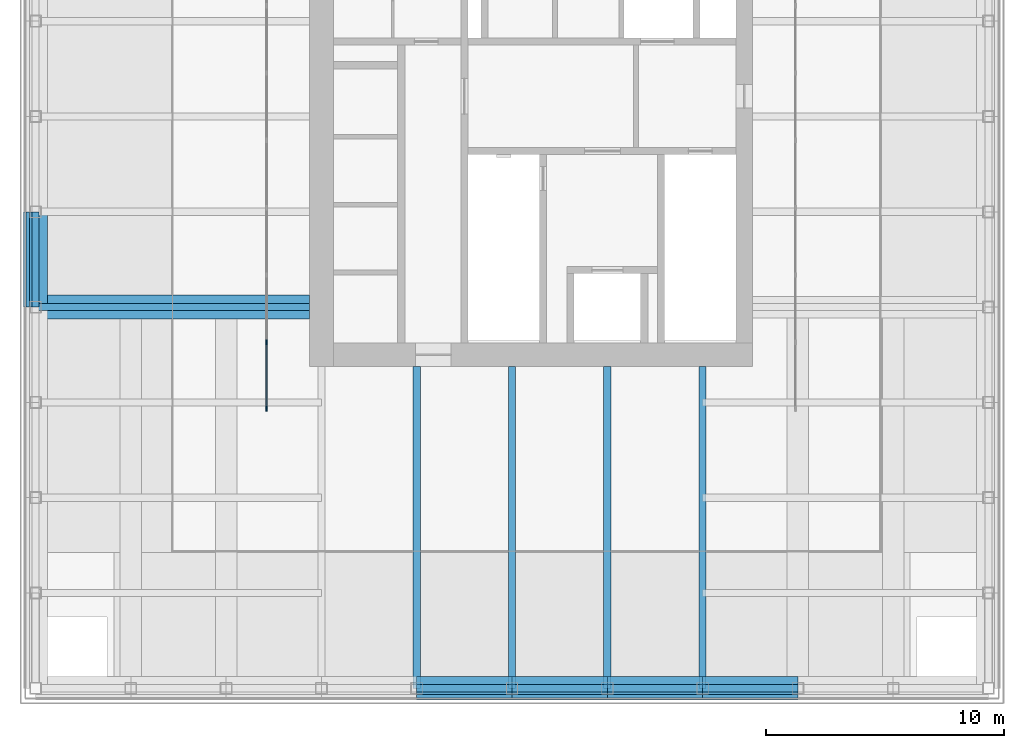
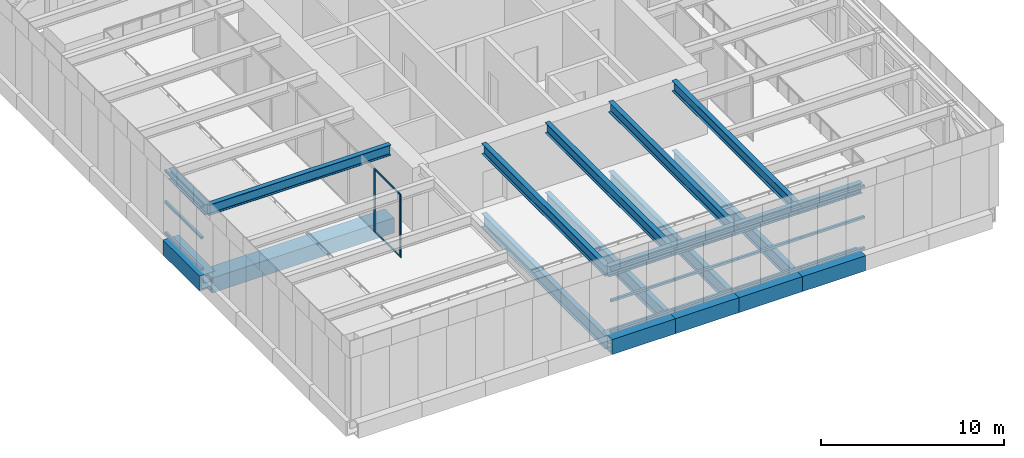
# One storey, part 2 of 11: 20 beams, 19 members, 1 element without a shape of its own.
"""IFC4 building model written with IfcOpenShell, lengths in metres."""

from ifc_helpers import new_model, si_unit, direction, frame, origin, origin_2d, place, context, subcontext, project, spatial, rectangle, hollow_rectangle, i_section, extrude, material, material_profile, profile_set, type_object, element, aggregate, save


model = new_model("IFC4")

# Units and contexts
model_context = context("Model", 3, precision=1e-05, world=origin(), true_north=direction((0.0, 1.0)))
body_context = subcontext(model_context, "Body", "Model", "MODEL_VIEW")
ifc_project = project(units=[si_unit("LENGTHUNIT", "METRE"), si_unit("AREAUNIT", "SQUARE_METRE"), si_unit("VOLUMEUNIT", "CUBIC_METRE"), si_unit("PLANEANGLEUNIT", "RADIAN"), si_unit("MASSUNIT", "GRAM", prefix="KILO")], contexts=[model_context])

# Site, building, storey
site_placement = place(None, origin())
site = spatial("IfcSite", under=ifc_project, at=site_placement, CompositionType="ELEMENT")
building_placement = place(site_placement, origin())
building = spatial("IfcBuilding", under=site, at=building_placement, Name="Rimbunsela Tower", CompositionType="ELEMENT")
storey_placement = place(building_placement, frame((0.0, 0.0, 304.199951171875)))
storey = spatial("IfcBuildingStorey", under=building, at=storey_placement, Name="RF", CompositionType="ELEMENT", Elevation=304.199951171875)

# Beams
ifc_material_1 = material(Name="Steel BJ 55 (fy 410 MPa)", Category="steel")
ifc_material_profile_1 = material_profile(ifc_material_1, hollow_rectangle(XDim=1.0, YDim=1.0, WallThickness=0.10009765625, at=origin_2d()), Name="BOX 1000x1000x100")
ifc_profile_set_1 = profile_set([ifc_material_profile_1], Name="Steel BJ 55 (fy 410 MPa)")
beam_type_1 = type_object("IfcBeamType", Name="Beam BOX 1000x1000x100", PredefinedType="BEAM", material=ifc_profile_set_1)
beam_1_placement = place(storey_placement, frame((6.0, 20.0, -0.800048828125), z_axis=(0.0, 1.0, 0.0), x_axis=(-1.0, 0.0, 0.0)))
element("IfcBeam", 1, at=beam_1_placement, inside=storey, type_object=beam_type_1, Name="Beam B3 RF", PredefinedType="BEAM", context=body_context, shape_type="SweptSolid", body=[
    extrude(hollow_rectangle(XDim=1.0, YDim=1.0, WallThickness=0.10009765625, at=origin_2d()), origin(), (0.0, 0.0, 1.0), 4.0),
])
beam_2_placement = place(storey_placement, frame((6.0, 20.0, -0.800048828125), z_axis=(1.0, 0.0, 0.0), x_axis=(0.0, 1.0, 0.0)))
element("IfcBeam", 2, at=beam_2_placement, inside=storey, type_object=beam_type_1, Name="Beam B3 RF", PredefinedType="BEAM", context=body_context, shape_type="SweptSolid", body=[
    extrude(hollow_rectangle(XDim=1.0, YDim=1.0, WallThickness=0.10009765625, at=origin_2d()), origin(), (0.0, 0.0, 1.0), 11.5),
])
for number, where, z_axis, x_axis, name in (
    (3, (22.0, 4.0, -0.800048828125), (1.0, 0.0, 0.0), (0.0, 1.0, 0.0), "Beam B3 RF"),
    (4, (26.0, 4.0, -0.800048828125), (1.0, 0.0, 0.0), (0.0, 1.0, 0.0), "Beam B3 RF"),
    (5, (30.0, 4.0, -0.800048828125), (1.0, 0.0, 0.0), (0.0, 1.0, 0.0), "Beam B3 RF"),
    (6, (34.0, 4.0, -0.800048828125), (1.0, 0.0, 0.0), (0.0, 1.0, 0.0), "Beam B3 RF"),
):
    element("IfcBeam", number, at=place(storey_placement, frame(where, z_axis=z_axis, x_axis=x_axis)), inside=storey, type_object=beam_type_1, Name=name, PredefinedType="BEAM", context=body_context, shape_type="SweptSolid", body=[
        extrude(hollow_rectangle(XDim=1.0, YDim=1.0, WallThickness=0.10009765625, at=origin_2d()), origin(), (0.0, 0.0, 1.0), 4.0),
    ])
ifc_material_2 = material(Name="Steel BJ 55 (fy 410 MPa)", Category="steel")
ifc_material_profile_2 = material_profile(ifc_material_2, i_section(OverallWidth=0.300048828125, OverallDepth=0.89990234375, WebThickness=0.01611328125, FlangeThickness=0.028076171875, FilletRadius=0.028076171875, at=origin_2d()), Name="H 900x300x16x28")
ifc_profile_set_2 = profile_set([ifc_material_profile_2], Name="Steel BJ 55 (fy 410 MPa)")
beam_type_2 = type_object("IfcBeamType", Name="Beam H 900x300x16x28", PredefinedType="BEAM", material=ifc_profile_set_2)
for number, where, z_axis, x_axis, name in (
    (7, (22.0, 4.0, -0.75), (0.0, 1.0, 0.0), (-1.0, 0.0, 0.0), "Beam B2 RF"),
    (8, (26.0, 4.0, -0.75), (0.0, 1.0, 0.0), (-1.0, 0.0, 0.0), "Beam B2 RF"),
    (9, (30.0, 4.0, -0.75), (0.0, 1.0, 0.0), (-1.0, 0.0, 0.0), "Beam B2 RF"),
    (10, (34.0, 4.0, -0.75), (0.0, 1.0, 0.0), (-1.0, 0.0, 0.0), "Beam B2 RF"),
):
    element("IfcBeam", number, at=place(storey_placement, frame(where, z_axis=z_axis, x_axis=x_axis)), inside=storey, type_object=beam_type_2, Name=name, PredefinedType="BEAM", context=body_context, shape_type="SweptSolid", body=[
        extrude(i_section(OverallWidth=0.300048828125, OverallDepth=0.89990234375, WebThickness=0.01611328125, FlangeThickness=0.028076171875, FilletRadius=0.028076171875, at=origin_2d()), origin(), (0.0, 0.0, 1.0), 13.5),
    ])
ifc_material_3 = material(Name="Steel BJ 55 (fy 410 MPa)", Category="steel")
ifc_material_profile_3 = material_profile(ifc_material_3, i_section(OverallWidth=0.300048828125, OverallDepth=0.699951171875, WebThickness=0.012939453125, FlangeThickness=0.02392578125, FilletRadius=0.028076171875, at=origin_2d()), Name="H 700x300x13x24")
ifc_profile_set_3 = profile_set([ifc_material_profile_3], Name="Steel BJ 55 (fy 410 MPa)")
beam_type_3 = type_object("IfcBeamType", Name="Crown frame beam H 700x300x13x24", PredefinedType="BEAM", material=ifc_profile_set_3)
for number, where, z_axis, x_axis, name in (
    (11, (6.0, 20.0, 4.0), (0.0, 1.0, 0.0), (-1.0, 0.0, 0.0), "Crown frame edge beam CB1"),
    (12, (22.0, 4.0, 4.0), (1.0, 0.0, 0.0), (0.0, 1.0, 0.0), "Crown frame edge beam CB1"),
    (13, (26.0, 4.0, 4.0), (1.0, 0.0, 0.0), (0.0, 1.0, 0.0), "Crown frame edge beam CB1"),
    (14, (30.0, 4.0, 4.0), (1.0, 0.0, 0.0), (0.0, 1.0, 0.0), "Crown frame edge beam CB1"),
    (15, (34.0, 4.0, 4.0), (1.0, 0.0, 0.0), (0.0, 1.0, 0.0), "Crown frame edge beam CB1"),
):
    element("IfcBeam", number, at=place(storey_placement, frame(where, z_axis=z_axis, x_axis=x_axis)), inside=storey, type_object=beam_type_3, Name=name, PredefinedType="BEAM", context=body_context, shape_type="SweptSolid", body=[
        extrude(i_section(OverallWidth=0.300048828125, OverallDepth=0.699951171875, WebThickness=0.012939453125, FlangeThickness=0.02392578125, FilletRadius=0.028076171875, at=origin_2d()), origin(), (0.0, 0.0, 1.0), 4.0),
    ])
beam_3_placement = place(storey_placement, frame((6.0, 20.0, 4.0), z_axis=(1.0, 0.0, 0.0), x_axis=(0.0, 1.0, 0.0)))
element("IfcBeam", 16, at=beam_3_placement, inside=storey, type_object=beam_type_3, Name="Crown frame beam CB1", PredefinedType="BEAM", context=body_context, shape_type="SweptSolid", body=[
    extrude(i_section(OverallWidth=0.300048828125, OverallDepth=0.699951171875, WebThickness=0.012939453125, FlangeThickness=0.02392578125, FilletRadius=0.028076171875, at=origin_2d()), origin(), (0.0, 0.0, 1.0), 11.5),
])
for number, where, z_axis, x_axis, name in (
    (17, (22.0, 4.0, 4.0), (0.0, 1.0, 0.0), (-1.0, 0.0, 0.0), "Crown frame beam CB1"),
    (18, (26.0, 4.0, 4.0), (0.0, 1.0, 0.0), (-1.0, 0.0, 0.0), "Crown frame beam CB1"),
    (19, (30.0, 4.0, 4.0), (0.0, 1.0, 0.0), (-1.0, 0.0, 0.0), "Crown frame beam CB1"),
    (20, (34.0, 4.0, 4.0), (0.0, 1.0, 0.0), (-1.0, 0.0, 0.0), "Crown frame beam CB1"),
):
    element("IfcBeam", number, at=place(storey_placement, frame(where, z_axis=z_axis, x_axis=x_axis)), inside=storey, type_object=beam_type_3, Name=name, PredefinedType="BEAM", context=body_context, shape_type="SweptSolid", body=[
        extrude(i_section(OverallWidth=0.300048828125, OverallDepth=0.699951171875, WebThickness=0.012939453125, FlangeThickness=0.02392578125, FilletRadius=0.028076171875, at=origin_2d()), origin(), (0.0, 0.0, 1.0), 13.5),
    ])

# Members
ifc_material_4 = material(Name="Steel BJ 55 (fy 410 MPa)", Category="steel")
ifc_material_profile_4 = material_profile(ifc_material_4, hollow_rectangle(XDim=0.14990234375, YDim=0.14990234375, WallThickness=0.006103515625, at=origin_2d()), Name="SHS 150x150x6.0")
ifc_profile_set_4 = profile_set([ifc_material_profile_4], Name="Steel BJ 55 (fy 410 MPa)")
member_type_1 = type_object("IfcMemberType", Name="Crown screen rail SHS 150x150x6.0", PredefinedType="MEMBER", material=ifc_profile_set_4)
for number, where, z_axis, x_axis, name in (
    (21, (22.0, 3.675048828125, 0.125), (1.0, 0.0, 0.0), (0.0, 1.0, 0.0), "Crown screen rail SR1"),
    (22, (22.0, 3.675048828125, 2.199951171875), (1.0, 0.0, 0.0), (0.0, 1.0, 0.0), "Crown screen rail SR1"),
    (23, (22.0, 3.675048828125, 4.275146484375), (1.0, 0.0, 0.0), (0.0, 1.0, 0.0), "Crown screen rail SR1"),
    (24, (26.0, 3.675048828125, 0.125), (1.0, 0.0, 0.0), (0.0, 1.0, 0.0), "Crown screen rail SR1"),
    (25, (26.0, 3.675048828125, 2.199951171875), (1.0, 0.0, 0.0), (0.0, 1.0, 0.0), "Crown screen rail SR1"),
    (26, (26.0, 3.675048828125, 4.275146484375), (1.0, 0.0, 0.0), (0.0, 1.0, 0.0), "Crown screen rail SR1"),
    (27, (30.0, 3.675048828125, 0.125), (1.0, 0.0, 0.0), (0.0, 1.0, 0.0), "Crown screen rail SR1"),
    (28, (30.0, 3.675048828125, 2.199951171875), (1.0, 0.0, 0.0), (0.0, 1.0, 0.0), "Crown screen rail SR1"),
    (29, (30.0, 3.675048828125, 4.275146484375), (1.0, 0.0, 0.0), (0.0, 1.0, 0.0), "Crown screen rail SR1"),
    (30, (34.0, 3.675048828125, 0.125), (1.0, 0.0, 0.0), (0.0, 1.0, 0.0), "Crown screen rail SR1"),
    (31, (34.0, 3.675048828125, 2.199951171875), (1.0, 0.0, 0.0), (0.0, 1.0, 0.0), "Crown screen rail SR1"),
    (32, (34.0, 3.675048828125, 4.275146484375), (1.0, 0.0, 0.0), (0.0, 1.0, 0.0), "Crown screen rail SR1"),
    (33, (5.675048828125, 20.0, 0.125), (0.0, 1.0, 0.0), (-1.0, 0.0, 0.0), "Crown screen rail SR1"),
    (34, (5.675048828125, 20.0, 2.199951171875), (0.0, 1.0, 0.0), (-1.0, 0.0, 0.0), "Crown screen rail SR1"),
    (35, (5.675048828125, 20.0, 4.275146484375), (0.0, 1.0, 0.0), (-1.0, 0.0, 0.0), "Crown screen rail SR1"),
):
    element("IfcMember", number, at=place(storey_placement, frame(where, z_axis=z_axis, x_axis=x_axis)), inside=storey, type_object=member_type_1, Name=name, PredefinedType="MEMBER", context=body_context, shape_type="SweptSolid", body=[
        extrude(hollow_rectangle(XDim=0.14990234375, YDim=0.14990234375, WallThickness=0.006103515625, at=origin_2d()), origin(), (0.0, 0.0, 1.0), 4.0),
    ])

# Curtain wall, members
ifc_material_5 = material(Name="Aluminium curtain wall", Category="aluminium")
curtain_wall_type = type_object("IfcCurtainWallType", Name="Crown glazing", PredefinedType="USERDEFINED", material=ifc_material_5)
curtain_wall_placement = place(storey_placement, origin())
curtain_wall = element("IfcCurtainWall", 36, at=curtain_wall_placement, inside=storey, type_object=curtain_wall_type, Name="Crown glazing RF", ObjectType="CROWN GLAZING", PredefinedType="USERDEFINED")
ifc_material_6 = material(Name="Aluminium mullion", Category="aluminium")
ifc_material_profile_5 = material_profile(ifc_material_6, rectangle(XDim=0.06005859375, YDim=0.199951171875, at=origin_2d()), Name="Mullion 60x200")
ifc_profile_set_5 = profile_set([ifc_material_profile_5], Name="Aluminium mullion")
member_type_2 = type_object("IfcMemberType", Name="Curtain wall mullion 60x200", PredefinedType="MULLION", material=ifc_profile_set_5)
member_1_placement = place(storey_placement, frame((15.699951171875, 18.52490234375, 0.0), z_axis=(0.0, 0.0, 1.0), x_axis=(1.0, 0.0, 0.0)))
member_1 = element("IfcMember", 37, at=member_1_placement, type_object=member_type_2, Name="CW6 mullion 8", PredefinedType="MULLION", context=body_context, shape_type="SweptSolid", body=[
    extrude(rectangle(XDim=0.06005859375, YDim=0.199951171875, at=origin_2d()), origin(), (0.0, 0.0, 1.0), 4.199951171875),
])
member_2_placement = place(storey_placement, frame((15.699951171875, 15.72998046875, 0.0), z_axis=(0.0, 0.0, 1.0), x_axis=(1.0, 0.0, 0.0)))
member_2 = element("IfcMember", 38, at=member_2_placement, type_object=member_type_2, Name="CW6 mullion 9", PredefinedType="MULLION", context=body_context, shape_type="SweptSolid", body=[
    extrude(rectangle(XDim=0.06005859375, YDim=0.199951171875, at=origin_2d()), origin(), (0.0, 0.0, 1.0), 4.199951171875),
])
ifc_material_7 = material(Name="Aluminium transom", Category="aluminium")
ifc_material_profile_6 = material_profile(ifc_material_7, rectangle(XDim=0.06005859375, YDim=0.1201171875, at=origin_2d()), Name="Transom 60x120")
ifc_profile_set_6 = profile_set([ifc_material_profile_6], Name="Aluminium transom")
member_type_3 = type_object("IfcMemberType", Name="Curtain wall transom 60x120", PredefinedType="USERDEFINED", material=ifc_profile_set_6)
member_3_placement = place(storey_placement, frame((15.699951171875, 18.4951171875, 0.030029296875), z_axis=(0.0, -1.0, 0.0), x_axis=(1.0, 0.0, 0.0)))
member_3 = element("IfcMember", 39, at=member_3_placement, type_object=member_type_3, Name="CW6 transom 8.1", ObjectType="TRANSOM", PredefinedType="USERDEFINED", context=body_context, shape_type="SweptSolid", body=[
    extrude(rectangle(XDim=0.06005859375, YDim=0.1201171875, at=origin_2d()), origin(), (0.0, 0.0, 1.0), 2.735107421875),
])
member_4_placement = place(storey_placement, frame((15.699951171875, 18.4951171875, 4.170166015625), z_axis=(0.0, -1.0, 0.0), x_axis=(1.0, 0.0, 0.0)))
member_4 = element("IfcMember", 40, at=member_4_placement, type_object=member_type_3, Name="CW6 transom 8.2", ObjectType="TRANSOM", PredefinedType="USERDEFINED", context=body_context, shape_type="SweptSolid", body=[
    extrude(rectangle(XDim=0.06005859375, YDim=0.1201171875, at=origin_2d()), origin(), (0.0, 0.0, 1.0), 2.735107421875),
])
aggregate(curtain_wall, [member_1, member_2, member_3, member_4])

save(model, "model.ifc")
